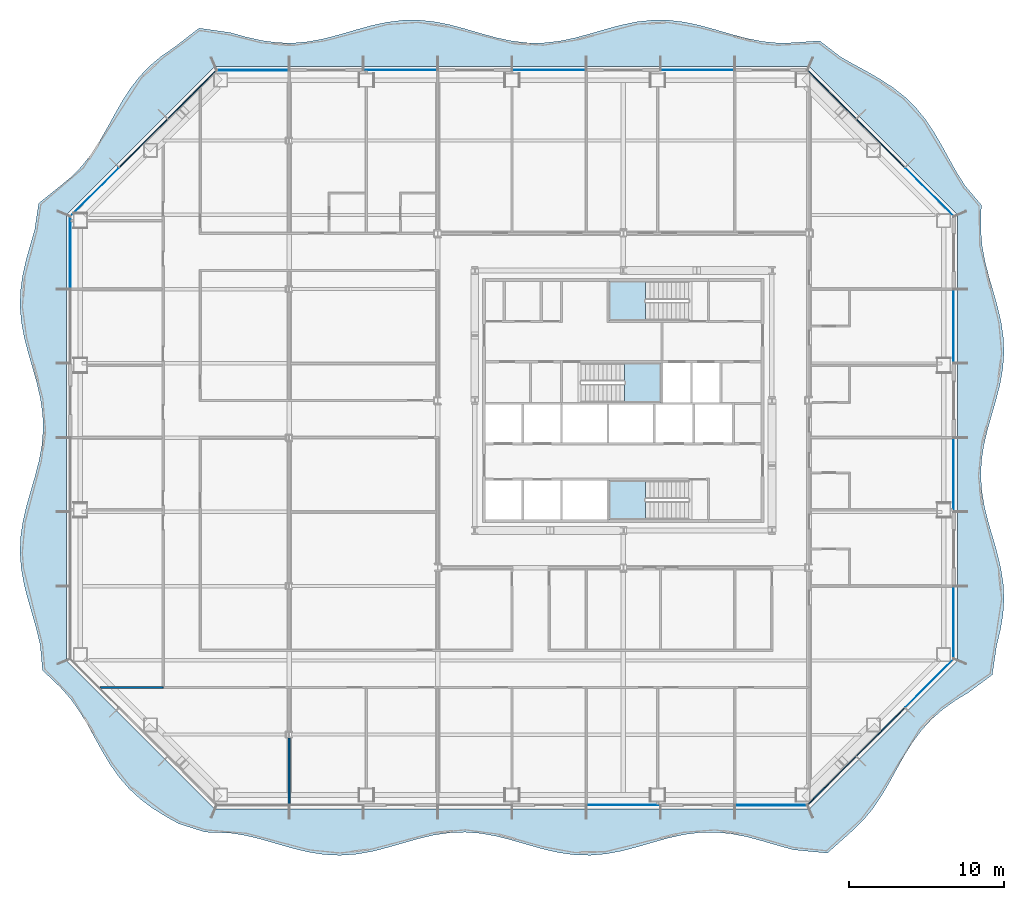
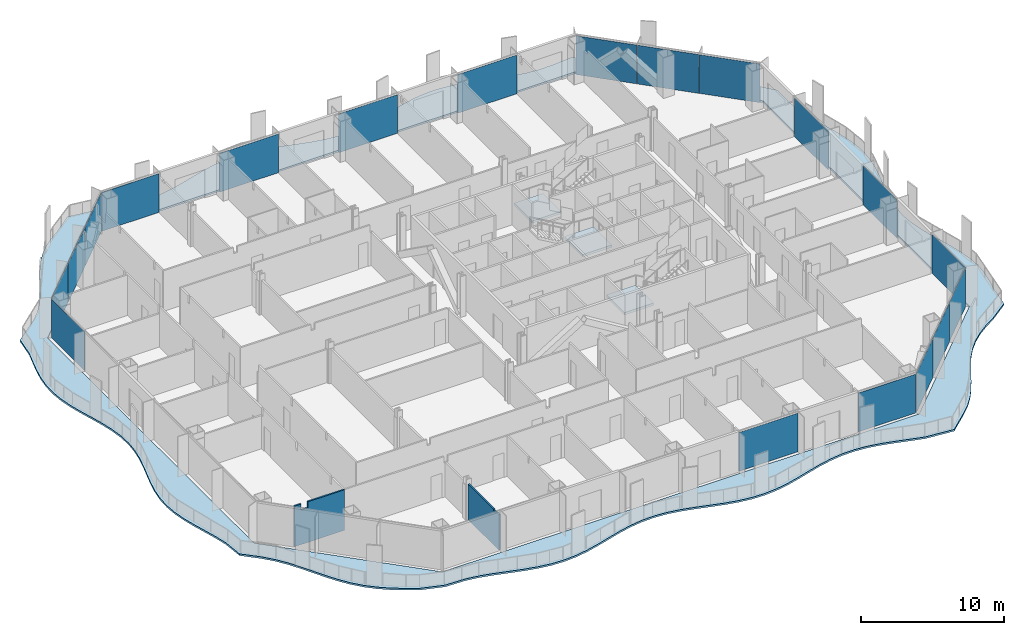
# One storey, part 5 of 18: 19 plates, 4 slabs, 2 walls, 10 elements without a shape of their own.
"""IFC4 building model written with IfcOpenShell, lengths in metres."""

from ifc_helpers import new_model, si_unit, direction, frame, origin, origin_2d, place, context, subcontext, project, spatial, polyline, rectangle, outline, extrude, material, layer, layer_set, type_object, element, aggregate, save


model = new_model("IFC4")

# Units and contexts
model_context = context("Model", 3, precision=1e-05, world=origin(), true_north=direction((0.0, 1.0)))
body_context = subcontext(model_context, "Body", "Model", "MODEL_VIEW")
ifc_project = project(units=[si_unit("LENGTHUNIT", "METRE"), si_unit("AREAUNIT", "SQUARE_METRE"), si_unit("VOLUMEUNIT", "CUBIC_METRE"), si_unit("PLANEANGLEUNIT", "RADIAN"), si_unit("MASSUNIT", "GRAM", prefix="KILO")], contexts=[model_context])

# Site, building, storey
site_placement = place(None, origin())
site = spatial("IfcSite", under=ifc_project, at=site_placement, CompositionType="ELEMENT")
building_placement = place(site_placement, origin())
building = spatial("IfcBuilding", under=site, at=building_placement, Name="Cairn Pilgrim Tower", CompositionType="ELEMENT")
storey_placement = place(building_placement, frame((0.0, 0.0, 65.39990234375)))
storey = spatial("IfcBuildingStorey", under=building, at=storey_placement, Name="L14", CompositionType="ELEMENT", Elevation=65.39990234375)

# Slab
ifc_material_1 = material(Name="Concrete C35/45", Category="concrete")
ifc_layer_1 = layer(ifc_material_1, 0.14990234375)
ifc_layer_set_1 = layer_set([ifc_layer_1], Name="BALCONY SLAB 150 CONCRETE C35/45")
slab_type_1 = type_object("IfcSlabType", Name="BALCONY SLAB 150 CONCRETE C35/45", PredefinedType="FLOOR", material=ifc_layer_set_1)
slab_1_placement = place(storey_placement, frame((0.0, 0.0, -0.14990234375)))
element("IfcSlab", 1, at=slab_1_placement, inside=storey, type_object=slab_type_1, Name="Balcony slab BS-1", PredefinedType="FLOOR", context=body_context, shape_type="SweptSolid", body=[
    extrude(outline(polyline([(-21.531494140625, -24.960205078125), (-19.8212890625, -25.5), (-18.189453125, -25.558349609375), (-17.178955078125, -25.72412109375), (-16.16845703125, -25.9716796875), (-15.157958984375, -26.262451171875), (-14.1474609375, -26.55126953125), (-13.136962890625, -26.793212890625), (-12.126220703125, -26.950927734375), (-11.11572265625, -26.99951171875), (-10.105224609375, -26.931640625), (-9.0947265625, -26.758056640625), (-8.084228515625, -26.505126953125), (-7.07373046875, -26.212890625), (-6.063232421875, -25.92626953125), (-5.052734375, -25.68994140625), (-4.0419921875, -25.54052734375), (-3.031494140625, -25.501708984375), (-2.02099609375, -25.578857421875), (-1.010498046875, -25.760498046875), (0.0, -26.018310546875), (1.010498046875, -26.31201171875), (2.02099609375, -26.595947265625), (3.031494140625, -26.826416015625), (4.0419921875, -26.967041015625), (5.052734375, -26.996337890625), (6.063232421875, -26.90966796875), (7.07373046875, -26.720458984375), (8.084228515625, -26.4580078125), (9.0947265625, -26.163330078125), (10.105224609375, -25.882080078125), (11.11572265625, -25.658203125), (12.126220703125, -25.526123046875), (13.136962890625, -25.506591796875), (14.1474609375, -25.6025390625), (15.157958984375, -25.799072265625), (16.16845703125, -26.06591796875), (17.178955078125, -26.361083984375), (18.189453125, -26.63916015625), (20.38330078125, -26.856689453125), (21.990966796875, -25.41943359375), (22.68798828125, -24.7451171875), (23.309814453125, -23.99560546875), (23.865478515625, -23.179931640625), (24.373779296875, -22.316650390625), (24.85986328125, -21.43115234375), (25.352294921875, -20.552490234375), (25.879150390625, -19.707763671875), (26.462890625, -18.919921875), (27.1181640625, -18.203857421875), (27.849365234375, -17.563720703125), (28.650146484375, -16.992919921875), (29.503662109375, -16.47509765625), (31.04296875, -15.3291015625), (31.32861328125, -13.406982421875), (31.572509765625, -12.413818359375), (31.73779296875, -11.420654296875), (31.7998046875, -10.427490234375), (31.749267578125, -9.4345703125), (31.59375, -8.44140625), (31.3564453125, -7.4482421875), (31.0732421875, -6.455078125), (30.786376953125, -5.462158203125), (30.539306640625, -4.468994140625), (30.368896484375, -3.475830078125), (30.300537109375, -2.482666015625), (30.344970703125, -1.48974609375), (30.495361328125, -0.49658203125), (30.728759765625, 0.49658203125), (31.010498046875, 1.48974609375), (31.29833984375, 2.482666015625), (31.548583984375, 3.475830078125), (31.72412109375, 4.468994140625), (31.798583984375, 5.462158203125), (31.76025390625, 6.455078125), (31.615478515625, 7.4482421875), (31.3857421875, 8.44140625), (31.105712890625, 9.4345703125), (30.817138671875, 10.427490234375), (30.5634765625, 11.420654296875), (30.383056640625, 12.413818359375), (30.302734375, 13.406982421875), (30.334716796875, 15.03564453125), (29.294921875, 16.266357421875), (28.763427734375, 17.106201171875), (28.2685546875, 17.98291015625), (27.783203125, 18.868896484375), (27.2783203125, 19.735595703125), (26.728271484375, 20.556884765625), (26.113525390625, 21.3134765625), (25.424072265625, 21.995361328125), (24.659912109375, 22.602783203125), (23.8330078125, 23.147216796875), (22.963134765625, 23.648681640625), (22.07666015625, 24.1337890625), (21.20263671875, 24.631103515625), (19.884033203125, 25.651611328125), (18.189453125, 25.523193359375), (17.178955078125, 25.508056640625), (16.16845703125, 25.608154296875), (15.157958984375, 25.807861328125), (14.1474609375, 26.076416015625), (13.136962890625, 26.3720703125), (12.126220703125, 26.6484375), (11.11572265625, 26.863037109375), (10.105224609375, 26.982421875), (9.0947265625, 26.98779296875), (8.084228515625, 26.878662109375), (7.07373046875, 26.671875), (6.063232421875, 26.399169921875), (5.052734375, 26.103515625), (4.0419921875, 25.83056640625), (3.031494140625, 25.623046875), (2.02099609375, 25.5126953125), (1.010498046875, 25.516845703125), (0.0, 25.63525390625), (-1.010498046875, 25.848876953125), (-2.02099609375, 26.125), (-3.031494140625, 26.420654296875), (-4.0419921875, 26.689697265625), (-5.052734375, 26.890380859375), (-6.063232421875, 26.991455078125), (-7.07373046875, 26.977294921875), (-8.084228515625, 26.850341796875), (-9.0947265625, 26.6298828125), (-10.105224609375, 26.350341796875), (-11.11572265625, 26.055419921875), (-12.126220703125, 25.79052734375), (-13.136962890625, 25.59716796875), (-14.1474609375, 25.505126953125), (-15.157958984375, 25.529052734375), (-16.16845703125, 25.6650390625), (-17.178955078125, 25.891845703125), (-18.189453125, 26.17431640625), (-20.222412109375, 26.468505859375), (-21.808837890625, 25.2373046875), (-22.624267578125, 24.681396484375), (-23.373779296875, 24.0595703125), (-24.0478515625, 23.3623046875), (-24.6484375, 22.59130859375), (-25.1875, 21.7587890625), (-25.68603515625, 20.885986328125), (-26.171142578125, 19.99951171875), (-26.671142578125, 19.128173828125), (-27.212890625, 18.298828125), (-27.817138671875, 17.531494140625), (-28.495361328125, 16.83837890625), (-29.248779296875, 16.22021484375), (-30.592529296875, 15.142578125), (-30.852783203125, 13.406982421875), (-31.142822265625, 12.413818359375), (-31.418701171875, 11.420654296875), (-31.639404296875, 10.427490234375), (-31.771484375, 9.4345703125), (-31.795166015625, 8.44140625), (-31.70703125, 7.4482421875), (-31.520263671875, 6.455078125), (-31.262939453125, 5.462158203125), (-30.973388671875, 4.468994140625), (-30.695556640625, 3.475830078125), (-30.470947265625, 2.482666015625), (-30.333251953125, 1.48974609375), (-30.30322265625, 0.49658203125), (-30.38525390625, -0.49658203125), (-30.567138671875, -1.48974609375), (-30.821533203125, -2.482666015625), (-31.1103515625, -3.475830078125), (-31.39013671875, -4.468994140625), (-31.61865234375, -5.462158203125), (-31.761962890625, -6.455078125), (-31.798095703125, -7.4482421875), (-31.72216796875, -8.44140625), (-31.545166015625, -9.4345703125), (-31.293701171875, -10.427490234375), (-31.005859375, -11.420654296875), (-30.724609375, -12.413818359375), (-30.4921875, -13.406982421875), (-30.343505859375, -15.039306640625), (-29.17529296875, -16.146728515625), (-28.53515625, -16.878173828125), (-27.964599609375, -17.678955078125), (-27.44677734375, -18.532470703125), (-26.957763671875, -19.4150390625), (-26.469482421875, -20.298095703125), (-25.95361328125, -21.153564453125), (-25.3857421875, -21.957275390625), (-24.7490234375, -22.69189453125), (-24.036376953125, -23.350830078125), (-23.251953125, -23.9375), (-22.409423828125, -24.466552734375), (-21.531494140625, -24.960205078125)]), holes=[polyline([(19.199951171875, -24.0), (-19.199951171875, -24.0), (-28.800048828125, -14.39990234375), (-28.800048828125, 14.39990234375), (-19.199951171875, 24.0), (19.199951171875, 24.0), (28.800048828125, 14.39990234375), (28.800048828125, -14.39990234375), (19.199951171875, -24.0)])]), origin(), (0.0, 0.0, 1.0), 0.14990234375),
])

# Curtain wall, plate
ifc_material_2 = material(Name="Aluminium alloy 6063-T6 bronze anodised with Bronze tinted laminated low-E glass 8+16+8.8", Category="aluminium")
curtain_wall_type_1 = type_object("IfcCurtainWallType", Name="CHAMFER CORNER CURTAIN WALL", PredefinedType="NOTDEFINED", material=ifc_material_2)
curtain_wall_1_placement = place(storey_placement, origin())
curtain_wall_1 = element("IfcCurtainWall", 2, at=curtain_wall_1_placement, inside=storey, type_object=curtain_wall_type_1, Name="Chamfer Corner Curtain Wall SE", PredefinedType="NOTDEFINED")
ifc_material_3 = material(Name="Bronze anodised aluminium spandrel panel with mineral wool insulation", Category="aluminium")
ifc_layer_2 = layer(ifc_material_3, 0.06005859375)
ifc_layer_set_2 = layer_set([ifc_layer_2], Name="SPANDREL PANEL 4386x3300")
plate_type_1 = type_object("IfcPlateType", Name="SPANDREL PANEL 4386x3300", PredefinedType="CURTAIN_PANEL", material=ifc_layer_set_2)
plate_1_placement = place(storey_placement, frame((20.675537109375, -22.1708984375, 0.0), z_axis=(0.0, 0.0, 1.0), x_axis=(0.707106781187, 0.707106781187, 0.0)))
plate_1 = element("IfcPlate", 3, at=plate_1_placement, type_object=plate_type_1, Name="Spandrel Panel SE1-1", PredefinedType="CURTAIN_PANEL", context=body_context, shape_type="SweptSolid", body=[
    extrude(rectangle(XDim=4.386474609375, YDim=0.06005859375, at=origin_2d()), origin(), (0.0, 0.0, 1.0), 3.300048828125),
])

curtain_wall_2_placement = place(storey_placement, origin())
curtain_wall_2 = element("IfcCurtainWall", 4, at=curtain_wall_2_placement, inside=storey, type_object=curtain_wall_type_1, Name="Chamfer Corner Curtain Wall NE", PredefinedType="NOTDEFINED")
plate_2_placement = place(storey_placement, frame((20.675537109375, 22.1708984375, 0.0), z_axis=(0.0, 0.0, 1.0), x_axis=(-0.707106781187, 0.707106781187, 0.0)))
plate_2 = element("IfcPlate", 5, at=plate_2_placement, type_object=plate_type_1, Name="Spandrel Panel NE3-1", PredefinedType="CURTAIN_PANEL", context=body_context, shape_type="SweptSolid", body=[
    extrude(rectangle(XDim=4.386474609375, YDim=0.06005859375, at=origin_2d()), origin(), (0.0, 0.0, 1.0), 3.300048828125),
])

curtain_wall_3_placement = place(storey_placement, origin())
curtain_wall_3 = element("IfcCurtainWall", 6, at=curtain_wall_3_placement, inside=storey, type_object=curtain_wall_type_1, Name="Chamfer Corner Curtain Wall NW", PredefinedType="NOTDEFINED")
plate_3_placement = place(storey_placement, frame((-20.675537109375, 22.1708984375, 0.0), z_axis=(0.0, 0.0, 1.0), x_axis=(-0.707106781187, -0.707106781187, 0.0)))
plate_3 = element("IfcPlate", 7, at=plate_3_placement, type_object=plate_type_1, Name="Spandrel Panel NW1-1", PredefinedType="CURTAIN_PANEL", context=body_context, shape_type="SweptSolid", body=[
    extrude(rectangle(XDim=4.386474609375, YDim=0.06005859375, at=origin_2d()), origin(), (0.0, 0.0, 1.0), 3.300048828125),
])

# Plate
ifc_layer_3 = layer(ifc_material_3, 0.06005859375)
ifc_layer_set_3 = layer_set([ifc_layer_3], Name="SPANDREL PANEL 4396x3300")
plate_type_2 = type_object("IfcPlateType", Name="SPANDREL PANEL 4396x3300", PredefinedType="CURTAIN_PANEL", material=ifc_layer_set_3)
plate_4_placement = place(storey_placement, frame((23.8232421875, -19.023193359375, 0.0), z_axis=(0.0, 0.0, 1.0), x_axis=(0.707106781187, 0.707106781187, 0.0)))
plate_4 = element("IfcPlate", 8, at=plate_4_placement, type_object=plate_type_2, Name="Spandrel Panel SE2-1", PredefinedType="CURTAIN_PANEL", context=body_context, shape_type="SweptSolid", body=[
    extrude(rectangle(XDim=4.396484375, YDim=0.06005859375, at=origin_2d()), origin(), (0.0, 0.0, 1.0), 3.300048828125),
])

plate_5_placement = place(storey_placement, frame((23.8232421875, 19.023193359375, 0.0), z_axis=(0.0, 0.0, 1.0), x_axis=(-0.707106781187, 0.707106781187, 0.0)))
plate_5 = element("IfcPlate", 9, at=plate_5_placement, type_object=plate_type_2, Name="Spandrel Panel NE2-1", PredefinedType="CURTAIN_PANEL", context=body_context, shape_type="SweptSolid", body=[
    extrude(rectangle(XDim=4.396484375, YDim=0.06005859375, at=origin_2d()), origin(), (0.0, 0.0, 1.0), 3.300048828125),
])

plate_6_placement = place(storey_placement, frame((-23.8232421875, 19.023193359375, 0.0), z_axis=(0.0, 0.0, 1.0), x_axis=(-0.707106781187, -0.707106781187, 0.0)))
plate_6 = element("IfcPlate", 10, at=plate_6_placement, type_object=plate_type_2, Name="Spandrel Panel NW2-1", PredefinedType="CURTAIN_PANEL", context=body_context, shape_type="SweptSolid", body=[
    extrude(rectangle(XDim=4.396484375, YDim=0.06005859375, at=origin_2d()), origin(), (0.0, 0.0, 1.0), 3.300048828125),
])

# Curtain wall, plate
curtain_wall_type_2 = type_object("IfcCurtainWallType", Name="TOWER STICK CURTAIN WALL NS", PredefinedType="NOTDEFINED", material=ifc_material_2)
curtain_wall_4_placement = place(storey_placement, origin())
curtain_wall_4 = element("IfcCurtainWall", 11, at=curtain_wall_4_placement, inside=storey, type_object=curtain_wall_type_2, Name="Tower Stick Curtain Wall Ns S", PredefinedType="NOTDEFINED")
ifc_layer_4 = layer(ifc_material_3, 0.06005859375)
ifc_layer_set_4 = layer_set([ifc_layer_4], Name="SPANDREL PANEL 4626x3300")
plate_type_3 = type_object("IfcPlateType", Name="SPANDREL PANEL 4626x3300", PredefinedType="CURTAIN_PANEL", material=ifc_layer_set_4)
plate_7_placement = place(storey_placement, frame((16.7431640625, -23.75, 0.0), z_axis=(0.0, 0.0, 1.0), x_axis=(1.0, 0.0, 0.0)))
plate_7 = element("IfcPlate", 12, at=plate_7_placement, type_object=plate_type_3, Name="Spandrel Panel S8-1", PredefinedType="CURTAIN_PANEL", context=body_context, shape_type="SweptSolid", body=[
    extrude(rectangle(XDim=4.62646484375, YDim=0.06005859375, at=origin_2d()), origin(), (0.0, 0.0, 1.0), 3.300048828125),
])

curtain_wall_5_placement = place(storey_placement, origin())
curtain_wall_5 = element("IfcCurtainWall", 13, at=curtain_wall_5_placement, inside=storey, type_object=curtain_wall_type_2, Name="Tower Stick Curtain Wall Ns N", PredefinedType="NOTDEFINED")
plate_8_placement = place(storey_placement, frame((-16.7431640625, 23.75, 0.0), z_axis=(0.0, 0.0, 1.0), x_axis=(-1.0, 0.0, 0.0)))
plate_8 = element("IfcPlate", 14, at=plate_8_placement, type_object=plate_type_3, Name="Spandrel Panel N8-1", PredefinedType="CURTAIN_PANEL", context=body_context, shape_type="SweptSolid", body=[
    extrude(rectangle(XDim=4.62646484375, YDim=0.06005859375, at=origin_2d()), origin(), (0.0, 0.0, 1.0), 3.300048828125),
])

# Stair, slab
ifc_material_4 = material(Name="Concrete C32/40", Category="concrete")
stair_type = type_object("IfcStairType", Name="EXIT STAIR 1200", PredefinedType="HALF_TURN_STAIR", material=ifc_material_4)
stair_1_placement = place(storey_placement, origin())
stair_1 = element("IfcStair", 15, at=stair_1_placement, inside=storey, type_object=stair_type, Name="L14 Exit Stair A", PredefinedType="HALF_TURN_STAIR")
ifc_layer_5 = layer(ifc_material_4, 0.199951171875)
ifc_layer_set_5 = layer_set([ifc_layer_5], Name="STAIR LANDING 200")
slab_type_2 = type_object("IfcSlabType", Name="STAIR LANDING 200", PredefinedType="LANDING", material=ifc_layer_set_5)
slab_2_placement = place(storey_placement, frame((0.0, 0.0, 1.60009765625)))
slab_2 = element("IfcSlab", 16, at=slab_2_placement, type_object=slab_type_2, Name="ST-A landing 1", PredefinedType="LANDING", context=body_context, shape_type="SweptSolid", body=[
    extrude(outline(polyline([(8.625, -2.77490234375), (6.27490234375, -2.77490234375), (6.27490234375, -5.300048828125), (8.625, -5.300048828125), (8.625, -2.77490234375)])), origin(), (0.0, 0.0, 1.0), 0.199951171875),
])
aggregate(stair_1, [slab_2])

stair_2_placement = place(storey_placement, origin())
stair_2 = element("IfcStair", 17, at=stair_2_placement, inside=storey, type_object=stair_type, Name="L14 Exit Stair B", PredefinedType="HALF_TURN_STAIR")
slab_3_placement = place(storey_placement, frame((0.0, 0.0, 1.60009765625)))
slab_3 = element("IfcSlab", 18, at=slab_3_placement, type_object=slab_type_2, Name="ST-B landing 1", PredefinedType="LANDING", context=body_context, shape_type="SweptSolid", body=[
    extrude(outline(polyline([(7.27490234375, 2.27490234375), (9.625, 2.27490234375), (9.625, 4.824951171875), (7.27490234375, 4.824951171875), (7.27490234375, 2.27490234375)])), origin(), (0.0, 0.0, 1.0), 0.199951171875),
])
aggregate(stair_2, [slab_3])

stair_3_placement = place(storey_placement, origin())
stair_3 = element("IfcStair", 19, at=stair_3_placement, inside=storey, type_object=stair_type, Name="L14 Exit Stair C", PredefinedType="HALF_TURN_STAIR")
slab_4_placement = place(storey_placement, frame((0.0, 0.0, 1.60009765625)))
slab_4 = element("IfcSlab", 20, at=slab_4_placement, type_object=slab_type_2, Name="ST-C landing 1", PredefinedType="LANDING", context=body_context, shape_type="SweptSolid", body=[
    extrude(outline(polyline([(8.625, 10.10009765625), (6.27490234375, 10.10009765625), (6.27490234375, 7.574951171875), (8.625, 7.574951171875), (8.625, 10.10009765625)])), origin(), (0.0, 0.0, 1.0), 0.199951171875),
])
aggregate(stair_3, [slab_4])

# Plate
ifc_material_5 = material(Name="Bronze tinted laminated low-E glass 8+16+8.8", Category="glass")
ifc_layer_6 = layer(ifc_material_5, 0.033935546875)
ifc_layer_set_6 = layer_set([ifc_layer_6], Name="VISION GLAZING 4386x3300")
plate_type_4 = type_object("IfcPlateType", Name="VISION GLAZING 4386x3300", PredefinedType="CURTAIN_PANEL", material=ifc_layer_set_6)
plate_9_placement = place(storey_placement, frame((26.970947265625, -15.87548828125, 0.0), z_axis=(0.0, 0.0, 1.0), x_axis=(0.707106781187, 0.707106781187, 0.0)))
plate_9 = element("IfcPlate", 21, at=plate_9_placement, type_object=plate_type_4, Name="Vision Glazing SE3-1", PredefinedType="CURTAIN_PANEL", context=body_context, shape_type="SweptSolid", body=[
    extrude(rectangle(XDim=4.386474609375, YDim=0.033935546875, at=origin_2d()), origin(), (0.0, 0.0, 1.0), 3.300048828125),
])

aggregate(curtain_wall_1, [plate_1, plate_4, plate_9])

plate_10_placement = place(storey_placement, frame((26.970947265625, 15.87548828125, 0.0), z_axis=(0.0, 0.0, 1.0), x_axis=(-0.707106781187, 0.707106781187, 0.0)))
plate_10 = element("IfcPlate", 22, at=plate_10_placement, type_object=plate_type_4, Name="Vision Glazing NE1-1", PredefinedType="CURTAIN_PANEL", context=body_context, shape_type="SweptSolid", body=[
    extrude(rectangle(XDim=4.386474609375, YDim=0.033935546875, at=origin_2d()), origin(), (0.0, 0.0, 1.0), 3.300048828125),
])

aggregate(curtain_wall_2, [plate_10, plate_5, plate_2])

plate_11_placement = place(storey_placement, frame((-26.970947265625, 15.87548828125, 0.0), z_axis=(0.0, 0.0, 1.0), x_axis=(-0.707106781187, -0.707106781187, 0.0)))
plate_11 = element("IfcPlate", 23, at=plate_11_placement, type_object=plate_type_4, Name="Vision Glazing NW3-1", PredefinedType="CURTAIN_PANEL", context=body_context, shape_type="SweptSolid", body=[
    extrude(rectangle(XDim=4.386474609375, YDim=0.033935546875, at=origin_2d()), origin(), (0.0, 0.0, 1.0), 3.300048828125),
])

aggregate(curtain_wall_3, [plate_3, plate_6, plate_11])

# Curtain wall, plate
curtain_wall_type_3 = type_object("IfcCurtainWallType", Name="TOWER STICK CURTAIN WALL EW", PredefinedType="NOTDEFINED", material=ifc_material_2)
curtain_wall_6_placement = place(storey_placement, origin())
curtain_wall_6 = element("IfcCurtainWall", 24, at=curtain_wall_6_placement, inside=storey, type_object=curtain_wall_type_3, Name="Tower Stick Curtain Wall Ew E", PredefinedType="NOTDEFINED")
ifc_layer_7 = layer(ifc_material_5, 0.033935546875)
ifc_layer_set_7 = layer_set([ifc_layer_7], Name="VISION GLAZING 4626x3300")
plate_type_5 = type_object("IfcPlateType", Name="VISION GLAZING 4626x3300", PredefinedType="CURTAIN_PANEL", material=ifc_layer_set_7)
plate_12_placement = place(storey_placement, frame((28.550048828125, -11.943115234375, 0.0), z_axis=(0.0, 0.0, 1.0), x_axis=(0.0, 1.0, 0.0)))
plate_12 = element("IfcPlate", 25, at=plate_12_placement, type_object=plate_type_5, Name="Vision Glazing E1-1", PredefinedType="CURTAIN_PANEL", context=body_context, shape_type="SweptSolid", body=[
    extrude(rectangle(XDim=4.62646484375, YDim=0.033935546875, at=origin_2d()), origin(), (0.0, 0.0, 1.0), 3.300048828125),
])

curtain_wall_7_placement = place(storey_placement, origin())
curtain_wall_7 = element("IfcCurtainWall", 26, at=curtain_wall_7_placement, inside=storey, type_object=curtain_wall_type_3, Name="Tower Stick Curtain Wall Ew W", PredefinedType="NOTDEFINED")
plate_13_placement = place(storey_placement, frame((-28.550048828125, 11.943115234375, 0.0), z_axis=(0.0, 0.0, 1.0), x_axis=(0.0, -1.0, 0.0)))
plate_13 = element("IfcPlate", 27, at=plate_13_placement, type_object=plate_type_5, Name="Vision Glazing W1-1", PredefinedType="CURTAIN_PANEL", context=body_context, shape_type="SweptSolid", body=[
    extrude(rectangle(XDim=4.62646484375, YDim=0.033935546875, at=origin_2d()), origin(), (0.0, 0.0, 1.0), 3.300048828125),
])
aggregate(curtain_wall_7, [plate_13])

# Plate
ifc_layer_8 = layer(ifc_material_5, 0.033935546875)
ifc_layer_set_8 = layer_set([ifc_layer_8], Name="VISION GLAZING 4740x3300")
plate_type_6 = type_object("IfcPlateType", Name="VISION GLAZING 4740x3300", PredefinedType="CURTAIN_PANEL", material=ifc_layer_set_8)
plate_14_placement = place(storey_placement, frame((7.199951171875, -23.75, 0.0), z_axis=(0.0, 0.0, 1.0), x_axis=(1.0, 0.0, 0.0)))
plate_14 = element("IfcPlate", 28, at=plate_14_placement, type_object=plate_type_6, Name="Vision Glazing S6-1", PredefinedType="CURTAIN_PANEL", context=body_context, shape_type="SweptSolid", body=[
    extrude(rectangle(XDim=4.739990234375, YDim=0.033935546875, at=origin_2d()), origin(), (0.0, 0.0, 1.0), 3.300048828125),
])

aggregate(curtain_wall_4, [plate_14, plate_7])

plate_15_placement = place(storey_placement, frame((28.550048828125, -2.39990234375, 0.0), z_axis=(0.0, 0.0, 1.0), x_axis=(0.0, 1.0, 0.0)))
plate_15 = element("IfcPlate", 29, at=plate_15_placement, type_object=plate_type_6, Name="Vision Glazing E3-1", PredefinedType="CURTAIN_PANEL", context=body_context, shape_type="SweptSolid", body=[
    extrude(rectangle(XDim=4.739990234375, YDim=0.033935546875, at=origin_2d()), origin(), (0.0, 0.0, 1.0), 3.300048828125),
])

plate_16_placement = place(storey_placement, frame((28.550048828125, 7.199951171875, 0.0), z_axis=(0.0, 0.0, 1.0), x_axis=(0.0, 1.0, 0.0)))
plate_16 = element("IfcPlate", 30, at=plate_16_placement, type_object=plate_type_6, Name="Vision Glazing E5-1", PredefinedType="CURTAIN_PANEL", context=body_context, shape_type="SweptSolid", body=[
    extrude(rectangle(XDim=4.739990234375, YDim=0.033935546875, at=origin_2d()), origin(), (0.0, 0.0, 1.0), 3.300048828125),
])

aggregate(curtain_wall_6, [plate_12, plate_15, plate_16])

plate_17_placement = place(storey_placement, frame((12.0, 23.75, 0.0), z_axis=(0.0, 0.0, 1.0), x_axis=(-1.0, 0.0, 0.0)))
plate_17 = element("IfcPlate", 31, at=plate_17_placement, type_object=plate_type_6, Name="Vision Glazing N2-1", PredefinedType="CURTAIN_PANEL", context=body_context, shape_type="SweptSolid", body=[
    extrude(rectangle(XDim=4.739990234375, YDim=0.033935546875, at=origin_2d()), origin(), (0.0, 0.0, 1.0), 3.300048828125),
])

plate_18_placement = place(storey_placement, frame((2.39990234375, 23.75, 0.0), z_axis=(0.0, 0.0, 1.0), x_axis=(-1.0, 0.0, 0.0)))
plate_18 = element("IfcPlate", 32, at=plate_18_placement, type_object=plate_type_6, Name="Vision Glazing N4-1", PredefinedType="CURTAIN_PANEL", context=body_context, shape_type="SweptSolid", body=[
    extrude(rectangle(XDim=4.739990234375, YDim=0.033935546875, at=origin_2d()), origin(), (0.0, 0.0, 1.0), 3.300048828125),
])

plate_19_placement = place(storey_placement, frame((-7.199951171875, 23.75, 0.0), z_axis=(0.0, 0.0, 1.0), x_axis=(-1.0, 0.0, 0.0)))
plate_19 = element("IfcPlate", 33, at=plate_19_placement, type_object=plate_type_6, Name="Vision Glazing N6-1", PredefinedType="CURTAIN_PANEL", context=body_context, shape_type="SweptSolid", body=[
    extrude(rectangle(XDim=4.739990234375, YDim=0.033935546875, at=origin_2d()), origin(), (0.0, 0.0, 1.0), 3.300048828125),
])

aggregate(curtain_wall_5, [plate_17, plate_18, plate_19, plate_8])

# Walls
ifc_material_6 = material(Name="Gypsum partition")
ifc_layer_9 = layer(ifc_material_6, 0.125)
ifc_layer_set_9 = layer_set([ifc_layer_9], Name="PARTITION 125 DRYWALL EI 60")
wall_type = type_object("IfcWallType", Name="PARTITION 125 DRYWALL EI 60", PredefinedType="PARTITIONING", material=ifc_layer_set_9)
wall_1_placement = place(storey_placement, frame((-14.39990234375, -23.68994140625, 0.0), z_axis=(0.0, 0.0, 1.0), x_axis=(0.0, 1.0, 0.0)))
element("IfcWall", 34, at=wall_1_placement, inside=storey, type_object=wall_type, Name="PARTITION W001", PredefinedType="PARTITIONING", context=body_context, shape_type="SweptSolid", body=[
    extrude(outline(polyline([(0.0, 0.0), (4.27734375, 0.0), (4.277587890625, 3.030029296875), (0.739990234375, 3.030029296875), (0.738037109375, 2.93017578125), (0.43994140625, 2.93017578125), (0.43798828125, 3.030029296875), (0.0, 3.030029296875), (0.0, 0.0)])), frame((0.0, 0.0625, 0.0), z_axis=(0.0, -1.0, 0.0), x_axis=(1.0, 0.0, 0.0)), (0.0, 0.0, 1.0), 0.125),
])
wall_2_placement = place(storey_placement, frame((-26.60693359375, -16.14990234375, 0.0), z_axis=(0.0, 0.0, 1.0), x_axis=(1.0, 0.0, 0.0)))
element("IfcWall", 35, at=wall_2_placement, inside=storey, type_object=wall_type, Name="PARTITION W012", PredefinedType="PARTITIONING", context=body_context, shape_type="SweptSolid", body=[
    extrude(outline(polyline([(0.0, 0.0), (4.056884765625, 0.0), (4.056884765625, 3.4501953125), (1.1044921875, 3.4501953125), (1.102294921875, 2.93017578125), (0.55517578125, 2.93017578125), (0.552978515625, 3.4501953125), (0.0, 3.4501953125), (0.0, 0.0)])), frame((0.0, 0.0625, 0.0), z_axis=(0.0, -1.0, 0.0), x_axis=(1.0, 0.0, 0.0)), (0.0, 0.0, 1.0), 0.125),
])

save(model, "model.ifc")
